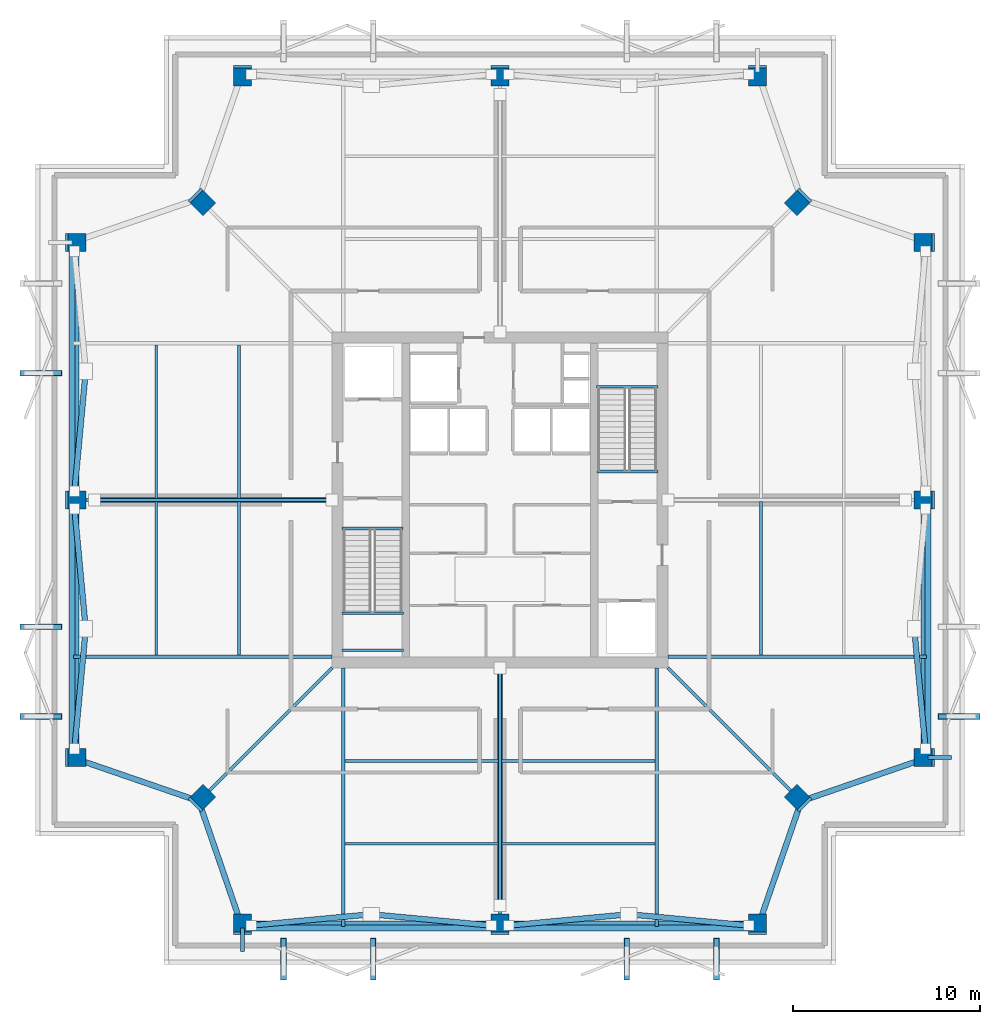
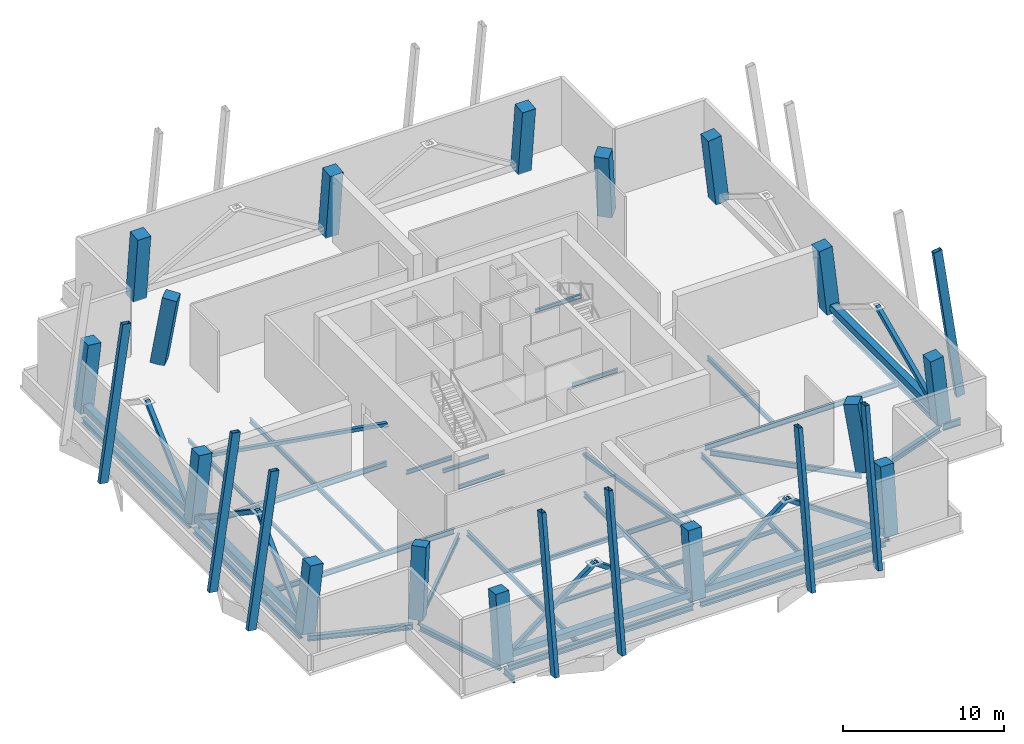
# One storey, part 1 of 6: 38 beams, 18 members, 16 columns.
"""IFC4 building model written with IfcOpenShell, lengths in metres."""

from ifc_helpers import new_model, si_unit, direction, frame, origin, origin_2d, place, context, subcontext, project, spatial, rectangle, hollow_rectangle, i_section, extrude, material, material_profile, profile_set, type_object, element, save


model = new_model("IFC4")

# Units and contexts
model_context = context("Model", 3, precision=1e-05, world=origin(), true_north=direction((0.0, 1.0)))
body_context = subcontext(model_context, "Body", "Model", "MODEL_VIEW")
ifc_project = project(units=[si_unit("LENGTHUNIT", "METRE"), si_unit("AREAUNIT", "SQUARE_METRE"), si_unit("VOLUMEUNIT", "CUBIC_METRE"), si_unit("PLANEANGLEUNIT", "RADIAN"), si_unit("MASSUNIT", "GRAM", prefix="KILO")], contexts=[model_context])

# Site, building, storey
site_placement = place(None, origin())
site = spatial("IfcSite", under=ifc_project, at=site_placement, CompositionType="ELEMENT")
building_placement = place(site_placement, origin())
building = spatial("IfcBuilding", under=site, at=building_placement, Name="Belovzor Exchange Tower", CompositionType="ELEMENT")
storey_placement = place(building_placement, frame((0.0, 0.0, 284.10009765625)))
storey = spatial("IfcBuildingStorey", under=building, at=storey_placement, Name="L71", CompositionType="ELEMENT", Elevation=284.10009765625)

# Columns
ifc_material_1 = material(Name="Concrete C50/60", Category="concrete")
ifc_material_profile_1 = material_profile(ifc_material_1, rectangle(XDim=0.949951171875, YDim=0.949951171875, at=origin_2d()))
ifc_profile_set_1 = profile_set([ifc_material_profile_1], Name="Concrete C50/60")
column_type = type_object("IfcColumnType", Name="Reinforced Concrete Tower Column 950x950", PredefinedType="COLUMN", material=ifc_profile_set_1)
for number, where, z_axis, x_axis, name in (
    (1, (15.0, 6.0, 0.0029296875), (0.0, 0.110547683812, 0.993870821387), (-1.0, 0.0, 0.0), "COL-T095 Reinforced Concrete Tower Column 950x950"),
    (2, (28.800048828125, 6.0, 0.0029296875), (0.0, 0.110547683812, 0.993870821387), (-1.0, 0.0, 0.0), "COL-T095 Reinforced Concrete Tower Column 950x950"),
    (3, (42.60009765625, 6.0, 0.0029296875), (0.0, 0.110547683812, 0.993870821387), (-1.0, 0.0, 0.0), "COL-T095 Reinforced Concrete Tower Column 950x950"),
    (4, (51.60009765625, 15.0, 0.0029296875), (-0.110547683812, 0.0, 0.993870821387), (0.0, -1.0, 0.0), "COL-T095 Reinforced Concrete Tower Column 950x950"),
    (5, (51.60009765625, 28.800048828125, 0.0029296875), (-0.110547683812, 0.0, 0.993870821387), (0.0, -1.0, 0.0), "COL-T095 Reinforced Concrete Tower Column 950x950"),
    (6, (51.60009765625, 42.60009765625, 0.0029296875), (-0.110547683812, 0.0, 0.993870821387), (0.0, -1.0, 0.0), "COL-T095 Reinforced Concrete Tower Column 950x950"),
    (7, (42.60009765625, 51.60009765625, 0.0029296875), (0.0, -0.110547683812, 0.993870821387), (1.0, 0.0, 0.0), "COL-T095 Reinforced Concrete Tower Column 950x950"),
    (8, (28.800048828125, 51.60009765625, 0.0029296875), (0.0, -0.110547683812, 0.993870821387), (1.0, 0.0, 0.0), "COL-T095 Reinforced Concrete Tower Column 950x950"),
    (9, (15.0, 51.60009765625, 0.0029296875), (0.0, -0.110547683812, 0.993870821387), (1.0, 0.0, 0.0), "COL-T095 Reinforced Concrete Tower Column 950x950"),
    (10, (6.0, 42.60009765625, 0.0029296875), (0.110547683812, 0.0, 0.993870821387), (0.0, 1.0, 0.0), "COL-T095 Reinforced Concrete Tower Column 950x950"),
    (11, (6.0, 28.800048828125, 0.0029296875), (0.110547683812, 0.0, 0.993870821387), (0.0, 1.0, 0.0), "COL-T095 Reinforced Concrete Tower Column 950x950"),
    (12, (6.0, 15.0, 0.0029296875), (0.110547683812, 0.0, 0.993870821387), (0.0, 1.0, 0.0), "COL-T095 Reinforced Concrete Tower Column 950x950"),
):
    element("IfcColumn", number, at=place(storey_placement, frame(where, z_axis=z_axis, x_axis=x_axis)), inside=storey, type_object=column_type, Name=name, PredefinedType="COLUMN", context=body_context, shape_type="SweptSolid", body=[
        extrude(rectangle(XDim=0.949951171875, YDim=0.949951171875, at=origin_2d()), origin(), (0.0, 0.0, 1.0), 5.074951171875),
    ])
for number, where, z_axis, x_axis, name in (
    (13, (12.75, 12.75, 0.0029296875), (0.109878322657, 0.109878322657, 0.987852979152), (-0.707106781187, 0.707106781187, 0.0), "COL-T095 Reinforced Concrete Tower Column 950x950"),
    (14, (44.85009765625, 12.75, 0.0029296875), (-0.109878322657, 0.109878322657, 0.987852979152), (-0.707106781187, -0.707106781187, 0.0), "COL-T095 Reinforced Concrete Tower Column 950x950"),
    (15, (44.85009765625, 44.85009765625, 0.0029296875), (-0.109878322657, -0.109878322657, 0.987852979152), (0.707106781187, -0.707106781187, 0.0), "COL-T095 Reinforced Concrete Tower Column 950x950"),
    (16, (12.75, 44.85009765625, 0.0029296875), (0.109878322657, -0.109878322657, 0.987852979152), (0.707106781187, 0.707106781187, 0.0), "COL-T095 Reinforced Concrete Tower Column 950x950"),
):
    element("IfcColumn", number, at=place(storey_placement, frame(where, z_axis=z_axis, x_axis=x_axis)), inside=storey, type_object=column_type, Name=name, PredefinedType="COLUMN", context=body_context, shape_type="SweptSolid", body=[
        extrude(rectangle(XDim=0.949951171875, YDim=0.949951171875, at=origin_2d()), origin(), (0.0, 0.0, 1.0), 5.10595703125),
    ])

# Members
ifc_material_2 = material(Name="Steel S460", Category="steel")
ifc_material_profile_2 = material_profile(ifc_material_2, hollow_rectangle(XDim=0.25, YDim=0.25, WallThickness=0.012451171875, at=origin_2d()))
ifc_profile_set_2 = profile_set([ifc_material_profile_2], Name="Steel S460")
member_type_1 = type_object("IfcMemberType", Name="Outrigger Tie Diagonal SHS 250x250x12.5", PredefinedType="BRACE", material=ifc_profile_set_2)
for number, where, z_axis, x_axis, name in (
    (17, (28.800048828125, 19.800048828125, 2.449951171875), (0.0, -0.986656645391, 0.162814815376), (1.0, 0.0, 0.0), "OB-260 Outrigger Tie Diagonal SHS 250x250x12.5"),
    (18, (19.800048828125, 28.800048828125, 2.449951171875), (-0.986656645391, 0.0, 0.162814815376), (0.0, -1.0, 0.0), "OB-260 Outrigger Tie Diagonal SHS 250x250x12.5"),
):
    element("IfcMember", number, at=place(storey_placement, frame(where, z_axis=z_axis, x_axis=x_axis)), inside=storey, type_object=member_type_1, Name=name, PredefinedType="BRACE", context=body_context, shape_type="SweptSolid", body=[
        extrude(hollow_rectangle(XDim=0.25, YDim=0.25, WallThickness=0.012451171875, at=origin_2d()), origin(), (0.0, 0.0, 1.0), 12.897216796875),
    ])

# Beams
ifc_material_3 = material(Name="Steel S460", Category="steel")
ifc_material_profile_3 = material_profile(ifc_material_3, hollow_rectangle(XDim=0.5, YDim=0.5, WallThickness=0.02490234375, at=origin_2d()))
ifc_profile_set_3 = profile_set([ifc_material_profile_3], Name="Steel S460")
beam_type_1 = type_object("IfcBeamType", Name="Perimeter Belt Truss Chord SHS 500x500x25", PredefinedType="BEAM", material=ifc_profile_set_3)
beam_1_placement = place(storey_placement, frame((15.47509765625, 6.0, 0.449951171875), z_axis=(1.0, 0.0, 0.0), x_axis=(0.0, 1.0, 0.0)))
element("IfcBeam", 19, at=beam_1_placement, inside=storey, type_object=beam_type_1, Name="BT-500 Perimeter Belt Truss Chord SHS 500x500x25", PredefinedType="BEAM", context=body_context, shape_type="SweptSolid", body=[
    extrude(hollow_rectangle(XDim=0.5, YDim=0.5, WallThickness=0.02490234375, at=origin_2d()), origin(), (0.0, 0.0, 1.0), 12.849853515625),
])
beam_2_placement = place(storey_placement, frame((29.27490234375, 6.0, 0.449951171875), z_axis=(1.0, 0.0, 0.0), x_axis=(0.0, 1.0, 0.0)))
element("IfcBeam", 20, at=beam_2_placement, inside=storey, type_object=beam_type_1, Name="BT-500 Perimeter Belt Truss Chord SHS 500x500x25", PredefinedType="BEAM", context=body_context, shape_type="SweptSolid", body=[
    extrude(hollow_rectangle(XDim=0.5, YDim=0.5, WallThickness=0.02490234375, at=origin_2d()), origin(), (0.0, 0.0, 1.0), 12.85009765625),
])
beam_3_placement = place(storey_placement, frame((51.60009765625, 15.47509765625, 0.449951171875), z_axis=(0.0, 1.0, 0.0), x_axis=(-1.0, 0.0, 0.0)))
element("IfcBeam", 21, at=beam_3_placement, inside=storey, type_object=beam_type_1, Name="BT-500 Perimeter Belt Truss Chord SHS 500x500x25", PredefinedType="BEAM", context=body_context, shape_type="SweptSolid", body=[
    extrude(hollow_rectangle(XDim=0.5, YDim=0.5, WallThickness=0.02490234375, at=origin_2d()), origin(), (0.0, 0.0, 1.0), 12.849853515625),
])
beam_4_placement = place(storey_placement, frame((6.0, 42.125, 0.449951171875), z_axis=(0.0, -1.0, 0.0), x_axis=(1.0, 0.0, 0.0)))
element("IfcBeam", 22, at=beam_4_placement, inside=storey, type_object=beam_type_1, Name="BT-500 Perimeter Belt Truss Chord SHS 500x500x25", PredefinedType="BEAM", context=body_context, shape_type="SweptSolid", body=[
    extrude(hollow_rectangle(XDim=0.5, YDim=0.5, WallThickness=0.02490234375, at=origin_2d()), origin(), (0.0, 0.0, 1.0), 12.85009765625),
])
beam_5_placement = place(storey_placement, frame((6.0, 28.324951171875, 0.449951171875), z_axis=(0.0, -1.0, 0.0), x_axis=(1.0, 0.0, 0.0)))
element("IfcBeam", 23, at=beam_5_placement, inside=storey, type_object=beam_type_1, Name="BT-500 Perimeter Belt Truss Chord SHS 500x500x25", PredefinedType="BEAM", context=body_context, shape_type="SweptSolid", body=[
    extrude(hollow_rectangle(XDim=0.5, YDim=0.5, WallThickness=0.02490234375, at=origin_2d()), origin(), (0.0, 0.0, 1.0), 12.849853515625),
])
ifc_material_4 = material(Name="Steel S355", Category="steel")
ifc_material_profile_4 = material_profile(ifc_material_4, i_section(OverallWidth=0.199951171875, OverallDepth=0.5, WebThickness=0.01025390625, FlangeThickness=0.01611328125, at=origin_2d()))
ifc_profile_set_4 = profile_set([ifc_material_profile_4], Name="Steel S355")
beam_type_2 = type_object("IfcBeamType", Name="Planted Balcony Cantilever Beam IPE 500", PredefinedType="BEAM", material=ifc_profile_set_4)
for number, where, z_axis, x_axis, name in (
    (24, (15.0, 5.85400390625, -0.610107421875), (0.0, -1.0, 0.0), (1.0, 0.0, 0.0), "BC-500 Planted Balcony Cantilever Beam IPE 500"),
    (25, (51.74609375, 15.0, -0.610107421875), (1.0, 0.0, 0.0), (0.0, 1.0, 0.0), "BC-500 Planted Balcony Cantilever Beam IPE 500"),
):
    element("IfcBeam", number, at=place(storey_placement, frame(where, z_axis=z_axis, x_axis=x_axis)), inside=storey, type_object=beam_type_2, Name=name, PredefinedType="BEAM", context=body_context, shape_type="SweptSolid", body=[
        extrude(i_section(OverallWidth=0.199951171875, OverallDepth=0.5, WebThickness=0.01025390625, FlangeThickness=0.01611328125, at=origin_2d()), origin(), (0.0, 0.0, 1.0), 1.25390625),
    ])
ifc_material_5 = material(Name="Steel S355", Category="steel")
ifc_material_profile_5 = material_profile(ifc_material_5, i_section(OverallWidth=0.169921875, OverallDepth=0.360107421875, WebThickness=0.008056640625, FlangeThickness=0.0126953125, at=origin_2d()))
ifc_profile_set_5 = profile_set([ifc_material_profile_5], Name="Steel S355")
beam_type_3 = type_object("IfcBeamType", Name="Secondary Infill Floor Joist IPE 360", PredefinedType="BEAM", material=ifc_profile_set_5)
beam_6_placement = place(storey_placement, frame((20.489990234375, 14.81103515625, -0.5400390625), z_axis=(1.0, 0.0, 0.0), x_axis=(0.0, 1.0, 0.0)))
element("IfcBeam", 26, at=beam_6_placement, inside=storey, type_object=beam_type_3, Name="FJ-360 Secondary Infill Floor Joist IPE 360", PredefinedType="BEAM", context=body_context, shape_type="SweptSolid", body=[
    extrude(i_section(OverallWidth=0.169921875, OverallDepth=0.360107421875, WebThickness=0.008056640625, FlangeThickness=0.0126953125, at=origin_2d()), origin(), (0.0, 0.0, 1.0), 8.219970703125),
])
beam_7_placement = place(storey_placement, frame((28.889892578125, 14.81103515625, -0.5400390625), z_axis=(1.0, 0.0, 0.0), x_axis=(0.0, 1.0, 0.0)))
element("IfcBeam", 27, at=beam_7_placement, inside=storey, type_object=beam_type_3, Name="FJ-360 Secondary Infill Floor Joist IPE 360", PredefinedType="BEAM", context=body_context, shape_type="SweptSolid", body=[
    extrude(i_section(OverallWidth=0.169921875, OverallDepth=0.360107421875, WebThickness=0.008056640625, FlangeThickness=0.0126953125, at=origin_2d()), origin(), (0.0, 0.0, 1.0), 8.22021484375),
])
beam_8_placement = place(storey_placement, frame((14.81103515625, 20.489990234375, -0.5400390625), z_axis=(0.0, 1.0, 0.0), x_axis=(-1.0, 0.0, 0.0)))
element("IfcBeam", 28, at=beam_8_placement, inside=storey, type_object=beam_type_3, Name="FJ-360 Secondary Infill Floor Joist IPE 360", PredefinedType="BEAM", context=body_context, shape_type="SweptSolid", body=[
    extrude(i_section(OverallWidth=0.169921875, OverallDepth=0.360107421875, WebThickness=0.008056640625, FlangeThickness=0.0126953125, at=origin_2d()), origin(), (0.0, 0.0, 1.0), 8.219970703125),
])
beam_9_placement = place(storey_placement, frame((14.81103515625, 28.889892578125, -0.5400390625), z_axis=(0.0, 1.0, 0.0), x_axis=(-1.0, 0.0, 0.0)))
element("IfcBeam", 29, at=beam_9_placement, inside=storey, type_object=beam_type_3, Name="FJ-360 Secondary Infill Floor Joist IPE 360", PredefinedType="BEAM", context=body_context, shape_type="SweptSolid", body=[
    extrude(i_section(OverallWidth=0.169921875, OverallDepth=0.360107421875, WebThickness=0.008056640625, FlangeThickness=0.0126953125, at=origin_2d()), origin(), (0.0, 0.0, 1.0), 8.22021484375),
])
beam_10_placement = place(storey_placement, frame((42.7890625, 20.489990234375, -0.5400390625), z_axis=(0.0, 1.0, 0.0), x_axis=(-1.0, 0.0, 0.0)))
element("IfcBeam", 30, at=beam_10_placement, inside=storey, type_object=beam_type_3, Name="FJ-360 Secondary Infill Floor Joist IPE 360", PredefinedType="BEAM", context=body_context, shape_type="SweptSolid", body=[
    extrude(i_section(OverallWidth=0.169921875, OverallDepth=0.360107421875, WebThickness=0.008056640625, FlangeThickness=0.0126953125, at=origin_2d()), origin(), (0.0, 0.0, 1.0), 8.219970703125),
])
ifc_material_6 = material(Name="Steel S355", Category="steel")
ifc_material_profile_6 = material_profile(ifc_material_6, i_section(OverallWidth=0.14990234375, OverallDepth=0.300048828125, WebThickness=0.007080078125, FlangeThickness=0.0107421875, at=origin_2d()))
ifc_profile_set_6 = profile_set([ifc_material_profile_6], Name="Steel S355")
beam_type_4 = type_object("IfcBeamType", Name="Secondary Trim Floor Joist IPE 300", PredefinedType="BEAM", material=ifc_profile_set_6)
for number, where, z_axis, x_axis, name in (
    (31, (20.320068359375, 22.72998046875, 2.349853515625), (1.0, 0.0, 0.0), (0.0, 1.0, 0.0), "FJ-300 Secondary Trim Floor Joist IPE 300"),
    (32, (20.320068359375, 20.75, 2.349853515625), (1.0, 0.0, 0.0), (0.0, 1.0, 0.0), "FJ-300 Secondary Trim Floor Joist IPE 300"),
):
    element("IfcBeam", number, at=place(storey_placement, frame(where, z_axis=z_axis, x_axis=x_axis)), inside=storey, type_object=beam_type_4, Name=name, PredefinedType="BEAM", context=body_context, shape_type="SweptSolid", body=[
        extrude(i_section(OverallWidth=0.14990234375, OverallDepth=0.300048828125, WebThickness=0.007080078125, FlangeThickness=0.0107421875, at=origin_2d()), origin(), (0.0, 0.0, 1.0), 3.309814453125),
    ])
beam_11_placement = place(storey_placement, frame((20.340087890625, 27.280029296875, -0.510009765625), z_axis=(1.0, 0.0, 0.0), x_axis=(0.0, 1.0, 0.0)))
element("IfcBeam", 33, at=beam_11_placement, inside=storey, type_object=beam_type_4, Name="FJ-300 Secondary Trim Floor Joist IPE 300", PredefinedType="BEAM", context=body_context, shape_type="SweptSolid", body=[
    extrude(i_section(OverallWidth=0.14990234375, OverallDepth=0.300048828125, WebThickness=0.007080078125, FlangeThickness=0.0107421875, at=origin_2d()), origin(), (0.0, 0.0, 1.0), 3.27001953125),
])
beam_12_placement = place(storey_placement, frame((37.280029296875, 34.8701171875, 2.349853515625), z_axis=(-1.0, 0.0, 0.0), x_axis=(0.0, -1.0, 0.0)))
element("IfcBeam", 34, at=beam_12_placement, inside=storey, type_object=beam_type_4, Name="FJ-300 Secondary Trim Floor Joist IPE 300", PredefinedType="BEAM", context=body_context, shape_type="SweptSolid", body=[
    extrude(i_section(OverallWidth=0.14990234375, OverallDepth=0.300048828125, WebThickness=0.007080078125, FlangeThickness=0.0107421875, at=origin_2d()), origin(), (0.0, 0.0, 1.0), 3.31005859375),
])
beam_13_placement = place(storey_placement, frame((37.260009765625, 30.320068359375, -0.510009765625), z_axis=(-1.0, 0.0, 0.0), x_axis=(0.0, -1.0, 0.0)))
element("IfcBeam", 35, at=beam_13_placement, inside=storey, type_object=beam_type_4, Name="FJ-300 Secondary Trim Floor Joist IPE 300", PredefinedType="BEAM", context=body_context, shape_type="SweptSolid", body=[
    extrude(i_section(OverallWidth=0.14990234375, OverallDepth=0.300048828125, WebThickness=0.007080078125, FlangeThickness=0.0107421875, at=origin_2d()), origin(), (0.0, 0.0, 1.0), 3.27001953125),
])
beam_14_placement = place(storey_placement, frame((20.489990234375, 10.3759765625, -0.510009765625), z_axis=(1.0, 0.0, 0.0), x_axis=(0.0, 1.0, 0.0)))
element("IfcBeam", 36, at=beam_14_placement, inside=storey, type_object=beam_type_4, Name="FJ-300 Secondary Trim Floor Joist IPE 300", PredefinedType="BEAM", context=body_context, shape_type="SweptSolid", body=[
    extrude(i_section(OverallWidth=0.14990234375, OverallDepth=0.300048828125, WebThickness=0.007080078125, FlangeThickness=0.0107421875, at=origin_2d()), origin(), (0.0, 0.0, 1.0), 8.219970703125),
])
beam_15_placement = place(storey_placement, frame((28.889892578125, 10.3759765625, -0.510009765625), z_axis=(1.0, 0.0, 0.0), x_axis=(0.0, 1.0, 0.0)))
element("IfcBeam", 37, at=beam_15_placement, inside=storey, type_object=beam_type_4, Name="FJ-300 Secondary Trim Floor Joist IPE 300", PredefinedType="BEAM", context=body_context, shape_type="SweptSolid", body=[
    extrude(i_section(OverallWidth=0.14990234375, OverallDepth=0.300048828125, WebThickness=0.007080078125, FlangeThickness=0.0107421875, at=origin_2d()), origin(), (0.0, 0.0, 1.0), 8.22021484375),
])
beam_16_placement = place(storey_placement, frame((10.3759765625, 20.489990234375, -0.510009765625), z_axis=(0.0, 1.0, 0.0), x_axis=(-1.0, 0.0, 0.0)))
element("IfcBeam", 38, at=beam_16_placement, inside=storey, type_object=beam_type_4, Name="FJ-300 Secondary Trim Floor Joist IPE 300", PredefinedType="BEAM", context=body_context, shape_type="SweptSolid", body=[
    extrude(i_section(OverallWidth=0.14990234375, OverallDepth=0.300048828125, WebThickness=0.007080078125, FlangeThickness=0.0107421875, at=origin_2d()), origin(), (0.0, 0.0, 1.0), 8.219970703125),
])
beam_17_placement = place(storey_placement, frame((10.3759765625, 28.889892578125, -0.510009765625), z_axis=(0.0, 1.0, 0.0), x_axis=(-1.0, 0.0, 0.0)))
element("IfcBeam", 39, at=beam_17_placement, inside=storey, type_object=beam_type_4, Name="FJ-300 Secondary Trim Floor Joist IPE 300", PredefinedType="BEAM", context=body_context, shape_type="SweptSolid", body=[
    extrude(i_section(OverallWidth=0.14990234375, OverallDepth=0.300048828125, WebThickness=0.007080078125, FlangeThickness=0.0107421875, at=origin_2d()), origin(), (0.0, 0.0, 1.0), 8.22021484375),
])

# Members
ifc_material_7 = material(Name="Steel S355", Category="steel")
ifc_material_profile_7 = material_profile(ifc_material_7, hollow_rectangle(XDim=0.300048828125, YDim=0.300048828125, WallThickness=0.01611328125, at=origin_2d()))
ifc_profile_set_7 = profile_set([ifc_material_profile_7], Name="Steel S355")
member_type_2 = type_object("IfcMemberType", Name="Upper Belt Truss Diagonal SHS 300x300x16", PredefinedType="BRACE", material=ifc_profile_set_7)
member_1_placement = place(storey_placement, frame((15.47509765625, 6.0, 0.449951171875), z_axis=(0.834475920844, 0.077942765368, 0.545504228085), x_axis=(-0.092998466606, 0.995666251918, 0.0)))
element("IfcMember", 40, at=member_1_placement, inside=storey, type_object=member_type_2, Name="BD-300 Upper Belt Truss Diagonal SHS 300x300x16", PredefinedType="BRACE", context=body_context, shape_type="SweptSolid", body=[
    extrude(hollow_rectangle(XDim=0.300048828125, YDim=0.300048828125, WallThickness=0.01611328125, at=origin_2d()), origin(), (0.0, 0.0, 1.0), 7.69921875),
])
for number, where, z_axis, x_axis, name in (
    (41, (21.89990234375, 6.60009765625, 4.64990234375), (0.83448554915, -0.07794070296, -0.545489793747), (0.092994963388, 0.995666579124, 0.0), "BD-300 Upper Belt Truss Diagonal SHS 300x300x16"),
    (42, (29.27490234375, 6.0, 0.449951171875), (0.83448554915, 0.07794070296, 0.545489793747), (-0.092994963388, 0.995666579124, 0.0), "BD-300 Upper Belt Truss Diagonal SHS 300x300x16"),
    (43, (35.699951171875, 6.60009765625, 4.64990234375), (0.83448554915, -0.07794070296, -0.545489793747), (0.092994963388, 0.995666579124, 0.0), "BD-300 Upper Belt Truss Diagonal SHS 300x300x16"),
):
    element("IfcMember", number, at=place(storey_placement, frame(where, z_axis=z_axis, x_axis=x_axis)), inside=storey, type_object=member_type_2, Name=name, PredefinedType="BRACE", context=body_context, shape_type="SweptSolid", body=[
        extrude(hollow_rectangle(XDim=0.300048828125, YDim=0.300048828125, WallThickness=0.01611328125, at=origin_2d()), origin(), (0.0, 0.0, 1.0), 7.699462890625),
    ])
member_2_placement = place(storey_placement, frame((51.60009765625, 15.47509765625, 0.449951171875), z_axis=(-0.077942765368, 0.834475920844, 0.545504228085), x_axis=(-0.995666251918, -0.092998466606, 0.0)))
element("IfcMember", 44, at=member_2_placement, inside=storey, type_object=member_type_2, Name="BD-300 Upper Belt Truss Diagonal SHS 300x300x16", PredefinedType="BRACE", context=body_context, shape_type="SweptSolid", body=[
    extrude(hollow_rectangle(XDim=0.300048828125, YDim=0.300048828125, WallThickness=0.01611328125, at=origin_2d()), origin(), (0.0, 0.0, 1.0), 7.69921875),
])
for number, where, z_axis, x_axis, name in (
    (45, (6.60009765625, 35.699951171875, 4.64990234375), (-0.07794070296, -0.83448554915, -0.545489793747), (0.995666579124, -0.092994963388, 0.0), "BD-300 Upper Belt Truss Diagonal SHS 300x300x16"),
    (46, (6.0, 28.324951171875, 0.449951171875), (0.07794070296, -0.83448554915, 0.545489793747), (0.995666579124, 0.092994963388, 0.0), "BD-300 Upper Belt Truss Diagonal SHS 300x300x16"),
):
    element("IfcMember", number, at=place(storey_placement, frame(where, z_axis=z_axis, x_axis=x_axis)), inside=storey, type_object=member_type_2, Name=name, PredefinedType="BRACE", context=body_context, shape_type="SweptSolid", body=[
        extrude(hollow_rectangle(XDim=0.300048828125, YDim=0.300048828125, WallThickness=0.01611328125, at=origin_2d()), origin(), (0.0, 0.0, 1.0), 7.699462890625),
    ])
member_3_placement = place(storey_placement, frame((6.60009765625, 21.89990234375, 4.64990234375), z_axis=(-0.077942765368, -0.834475920844, -0.545504228085), x_axis=(0.995666251918, -0.092998466606, 0.0)))
element("IfcMember", 47, at=member_3_placement, inside=storey, type_object=member_type_2, Name="BD-300 Upper Belt Truss Diagonal SHS 300x300x16", PredefinedType="BRACE", context=body_context, shape_type="SweptSolid", body=[
    extrude(hollow_rectangle(XDim=0.300048828125, YDim=0.300048828125, WallThickness=0.01611328125, at=origin_2d()), origin(), (0.0, 0.0, 1.0), 7.69921875),
])
ifc_material_8 = material(Name="Extruded Architectural Terracotta on Steel S355 Carrier", Category="masonry")
ifc_material_profile_8 = material_profile(ifc_material_8, hollow_rectangle(XDim=0.300048828125, YDim=0.60009765625, WallThickness=0.01611328125, at=origin_2d()))
ifc_profile_set_8 = profile_set([ifc_material_profile_8], Name="Extruded Architectural Terracotta on Steel S355 Carrier")
member_type_3 = type_object("IfcMemberType", Name="Upper Crown Terracotta Fin Assembly 550", PredefinedType="USERDEFINED", material=ifc_profile_set_8)
for number, where, z_axis, x_axis, name in (
    (48, (17.199951171875, 3.375, -0.360107421875), (0.0, 0.141773788774, 0.989899082138), (-1.0, 0.0, 0.0), "FIN-TC055 Terracotta Facade Fin L71 S1"),
    (49, (3.375, 17.199951171875, -0.360107421875), (0.141773788774, 0.0, 0.989899082138), (0.0, 1.0, 0.0), "FIN-TC055 Terracotta Facade Fin L71 W1"),
):
    element("IfcMember", number, at=place(storey_placement, frame(where, z_axis=z_axis, x_axis=x_axis)), inside=storey, type_object=member_type_3, Name=name, ObjectType="FIN", PredefinedType="USERDEFINED", context=body_context, shape_type="SweptSolid", body=[
        extrude(hollow_rectangle(XDim=0.300048828125, YDim=0.60009765625, WallThickness=0.01611328125, at=origin_2d()), origin(), (0.0, 0.0, 1.0), 11.637451171875),
    ])
member_4_placement = place(storey_placement, frame((54.22509765625, 17.199951171875, -0.360107421875), z_axis=(-0.141794345676, 0.0, 0.989896137751), x_axis=(0.0, -1.0, 0.0)))
element("IfcMember", 50, at=member_4_placement, inside=storey, type_object=member_type_3, Name="FIN-TC055 Terracotta Facade Fin L71 E1", ObjectType="FIN", PredefinedType="USERDEFINED", context=body_context, shape_type="SweptSolid", body=[
    extrude(hollow_rectangle(XDim=0.300048828125, YDim=0.60009765625, WallThickness=0.01611328125, at=origin_2d()), origin(), (0.0, 0.0, 1.0), 11.6376953125),
])
for number, where, z_axis, x_axis, name in (
    (51, (22.0, 3.375, -0.360107421875), (0.0, 0.141773788774, 0.989899082138), (-1.0, 0.0, 0.0), "FIN-TC055 Terracotta Facade Fin L71 S2"),
    (52, (3.375, 22.0, -0.360107421875), (0.141773788774, 0.0, 0.989899082138), (0.0, 1.0, 0.0), "FIN-TC055 Terracotta Facade Fin L71 W2"),
    (53, (35.60009765625, 3.375, -0.360107421875), (0.0, 0.141773788774, 0.989899082138), (-1.0, 0.0, 0.0), "FIN-TC055 Terracotta Facade Fin L71 S3"),
    (54, (3.375, 35.60009765625, -0.360107421875), (0.141773788774, 0.0, 0.989899082138), (0.0, 1.0, 0.0), "FIN-TC055 Terracotta Facade Fin L71 W3"),
    (55, (40.39990234375, 3.375, -0.360107421875), (0.0, 0.141773788774, 0.989899082138), (-1.0, 0.0, 0.0), "FIN-TC055 Terracotta Facade Fin L71 S4"),
):
    element("IfcMember", number, at=place(storey_placement, frame(where, z_axis=z_axis, x_axis=x_axis)), inside=storey, type_object=member_type_3, Name=name, ObjectType="FIN", PredefinedType="USERDEFINED", context=body_context, shape_type="SweptSolid", body=[
        extrude(hollow_rectangle(XDim=0.300048828125, YDim=0.60009765625, WallThickness=0.01611328125, at=origin_2d()), origin(), (0.0, 0.0, 1.0), 11.637451171875),
    ])

# Beams
ifc_material_9 = material(Name="Steel S355", Category="steel")
ifc_material_profile_9 = material_profile(ifc_material_9, i_section(OverallWidth=0.300048828125, OverallDepth=0.39990234375, WebThickness=0.013427734375, FlangeThickness=0.02392578125, at=origin_2d()))
ifc_profile_set_9 = profile_set([ifc_material_profile_9], Name="Steel S355")
beam_type_5 = type_object("IfcBeamType", Name="Zone 5 Primary Girder HEB 400", PredefinedType="BEAM", material=ifc_profile_set_9)
beam_18_placement = place(storey_placement, frame((12.7451171875, 12.4130859375, -0.56005859375), z_axis=(0.325654168739, -0.945488954131, 0.0), x_axis=(0.945488954131, 0.325654168739, 0.0)))
element("IfcBeam", 56, at=beam_18_placement, inside=storey, type_object=beam_type_5, Name="FG-Z5 Zone 5 Primary Girder HEB 400", PredefinedType="BEAM", context=body_context, shape_type="SweptSolid", body=[
    extrude(i_section(OverallWidth=0.300048828125, OverallDepth=0.39990234375, WebThickness=0.013427734375, FlangeThickness=0.02392578125, at=origin_2d()), origin(), (0.0, 0.0, 1.0), 6.663330078125),
])
for number, where, z_axis, x_axis, name in (
    (57, (15.260986328125, 5.865966796875, -0.56005859375), (1.0, 0.0, 0.0), (0.0, 1.0, 0.0), "FG-Z5 Zone 5 Primary Girder HEB 400"),
    (58, (29.06103515625, 5.865966796875, -0.56005859375), (1.0, 0.0, 0.0), (0.0, 1.0, 0.0), "FG-Z5 Zone 5 Primary Girder HEB 400"),
):
    element("IfcBeam", number, at=place(storey_placement, frame(where, z_axis=z_axis, x_axis=x_axis)), inside=storey, type_object=beam_type_5, Name=name, PredefinedType="BEAM", context=body_context, shape_type="SweptSolid", body=[
        extrude(i_section(OverallWidth=0.300048828125, OverallDepth=0.39990234375, WebThickness=0.013427734375, FlangeThickness=0.02392578125, at=origin_2d()), origin(), (0.0, 0.0, 1.0), 13.278076171875),
    ])
for number, where, z_axis, x_axis, name in (
    (59, (42.68505859375, 6.113037109375, -0.56005859375), (0.325654168739, 0.945488954131, 0.0), (-0.945488954131, 0.325654168739, 0.0), "FG-Z5 Zone 5 Primary Girder HEB 400"),
    (60, (45.18701171875, 12.7451171875, -0.56005859375), (0.945488954131, 0.325654168739, 0.0), (-0.325654168739, 0.945488954131, 0.0), "FG-Z5 Zone 5 Primary Girder HEB 400"),
):
    element("IfcBeam", number, at=place(storey_placement, frame(where, z_axis=z_axis, x_axis=x_axis)), inside=storey, type_object=beam_type_5, Name=name, PredefinedType="BEAM", context=body_context, shape_type="SweptSolid", body=[
        extrude(i_section(OverallWidth=0.300048828125, OverallDepth=0.39990234375, WebThickness=0.013427734375, FlangeThickness=0.02392578125, at=origin_2d()), origin(), (0.0, 0.0, 1.0), 6.663330078125),
    ])
for number, where, z_axis, x_axis, name in (
    (61, (51.73388671875, 15.260986328125, -0.56005859375), (0.0, 1.0, 0.0), (-1.0, 0.0, 0.0), "FG-Z5 Zone 5 Primary Girder HEB 400"),
    (62, (5.865966796875, 42.339111328125, -0.56005859375), (0.0, -1.0, 0.0), (1.0, 0.0, 0.0), "FG-Z5 Zone 5 Primary Girder HEB 400"),
    (63, (5.865966796875, 28.5390625, -0.56005859375), (0.0, -1.0, 0.0), (1.0, 0.0, 0.0), "FG-Z5 Zone 5 Primary Girder HEB 400"),
):
    element("IfcBeam", number, at=place(storey_placement, frame(where, z_axis=z_axis, x_axis=x_axis)), inside=storey, type_object=beam_type_5, Name=name, PredefinedType="BEAM", context=body_context, shape_type="SweptSolid", body=[
        extrude(i_section(OverallWidth=0.300048828125, OverallDepth=0.39990234375, WebThickness=0.013427734375, FlangeThickness=0.02392578125, at=origin_2d()), origin(), (0.0, 0.0, 1.0), 13.278076171875),
    ])
beam_19_placement = place(storey_placement, frame((6.113037109375, 14.9150390625, -0.56005859375), z_axis=(0.945488954131, -0.325654168739, 0.0), x_axis=(0.325654168739, 0.945488954131, 0.0)))
element("IfcBeam", 64, at=beam_19_placement, inside=storey, type_object=beam_type_5, Name="FG-Z5 Zone 5 Primary Girder HEB 400", PredefinedType="BEAM", context=body_context, shape_type="SweptSolid", body=[
    extrude(i_section(OverallWidth=0.300048828125, OverallDepth=0.39990234375, WebThickness=0.013427734375, FlangeThickness=0.02392578125, at=origin_2d()), origin(), (0.0, 0.0, 1.0), 6.663330078125),
])
ifc_material_10 = material(Name="Steel S355", Category="steel")
ifc_material_profile_10 = material_profile(ifc_material_10, i_section(OverallWidth=0.179931640625, OverallDepth=0.39990234375, WebThickness=0.008544921875, FlangeThickness=0.013427734375, at=origin_2d()))
ifc_profile_set_10 = profile_set([ifc_material_profile_10], Name="Steel S355")
beam_type_6 = type_object("IfcBeamType", Name="Zone 5-6 Radial Composite Floor Beam IPE 400", PredefinedType="BEAM", material=ifc_profile_set_10)
beam_20_placement = place(storey_placement, frame((20.39990234375, 19.800048828125, -0.56005859375), z_axis=(0.0, -1.0, 0.0), x_axis=(1.0, 0.0, 0.0)))
element("IfcBeam", 65, at=beam_20_placement, inside=storey, type_object=beam_type_6, Name="FB-400 Zone 5-6 Radial Composite Floor Beam IPE 400", PredefinedType="BEAM", context=body_context, shape_type="SweptSolid", body=[
    extrude(i_section(OverallWidth=0.179931640625, OverallDepth=0.39990234375, WebThickness=0.008544921875, FlangeThickness=0.013427734375, at=origin_2d()), origin(), (0.0, 0.0, 1.0), 13.859130859375),
])
beam_21_placement = place(storey_placement, frame((28.800048828125, 19.800048828125, -0.56005859375), z_axis=(0.0, -1.0, 0.0), x_axis=(1.0, 0.0, 0.0)))
element("IfcBeam", 66, at=beam_21_placement, inside=storey, type_object=beam_type_6, Name="FB-400 Zone 5-6 Radial Composite Floor Beam IPE 400", PredefinedType="BEAM", context=body_context, shape_type="SweptSolid", body=[
    extrude(i_section(OverallWidth=0.179931640625, OverallDepth=0.39990234375, WebThickness=0.008544921875, FlangeThickness=0.013427734375, at=origin_2d()), origin(), (0.0, 0.0, 1.0), 13.51611328125),
])
for number, where, z_axis, x_axis, name in (
    (67, (37.199951171875, 19.800048828125, -0.56005859375), (0.0, -1.0, 0.0), (1.0, 0.0, 0.0), "FB-400 Zone 5-6 Radial Composite Floor Beam IPE 400"),
    (68, (19.800048828125, 20.39990234375, -0.56005859375), (-1.0, 0.0, 0.0), (0.0, -1.0, 0.0), "FB-400 Zone 5-6 Radial Composite Floor Beam IPE 400"),
):
    element("IfcBeam", number, at=place(storey_placement, frame(where, z_axis=z_axis, x_axis=x_axis)), inside=storey, type_object=beam_type_6, Name=name, PredefinedType="BEAM", context=body_context, shape_type="SweptSolid", body=[
        extrude(i_section(OverallWidth=0.179931640625, OverallDepth=0.39990234375, WebThickness=0.008544921875, FlangeThickness=0.013427734375, at=origin_2d()), origin(), (0.0, 0.0, 1.0), 13.859130859375),
    ])
beam_22_placement = place(storey_placement, frame((19.800048828125, 28.800048828125, -0.56005859375), z_axis=(-1.0, 0.0, 0.0), x_axis=(0.0, -1.0, 0.0)))
element("IfcBeam", 69, at=beam_22_placement, inside=storey, type_object=beam_type_6, Name="FB-400 Zone 5-6 Radial Composite Floor Beam IPE 400", PredefinedType="BEAM", context=body_context, shape_type="SweptSolid", body=[
    extrude(i_section(OverallWidth=0.179931640625, OverallDepth=0.39990234375, WebThickness=0.008544921875, FlangeThickness=0.013427734375, at=origin_2d()), origin(), (0.0, 0.0, 1.0), 13.51611328125),
])
beam_23_placement = place(storey_placement, frame((37.800048828125, 20.39990234375, -0.56005859375), z_axis=(1.0, 0.0, 0.0), x_axis=(0.0, 1.0, 0.0)))
element("IfcBeam", 70, at=beam_23_placement, inside=storey, type_object=beam_type_6, Name="FB-400 Zone 5-6 Radial Composite Floor Beam IPE 400", PredefinedType="BEAM", context=body_context, shape_type="SweptSolid", body=[
    extrude(i_section(OverallWidth=0.179931640625, OverallDepth=0.39990234375, WebThickness=0.008544921875, FlangeThickness=0.013427734375, at=origin_2d()), origin(), (0.0, 0.0, 1.0), 13.85888671875),
])
beam_24_placement = place(storey_placement, frame((19.800048828125, 19.800048828125, -0.56005859375), z_axis=(-0.707106781187, -0.707106781187, 0.0), x_axis=(0.707106781187, -0.707106781187, 0.0)))
element("IfcBeam", 71, at=beam_24_placement, inside=storey, type_object=beam_type_6, Name="FB-400 Zone 5-6 Radial Composite Floor Beam IPE 400", PredefinedType="BEAM", context=body_context, shape_type="SweptSolid", body=[
    extrude(i_section(OverallWidth=0.179931640625, OverallDepth=0.39990234375, WebThickness=0.008544921875, FlangeThickness=0.013427734375, at=origin_2d()), origin(), (0.0, 0.0, 1.0), 9.760986328125),
])
beam_25_placement = place(storey_placement, frame((37.800048828125, 19.800048828125, -0.56005859375), z_axis=(0.707144295804, -0.707069264578, 0.0), x_axis=(0.707069264578, 0.707144295804, 0.0)))
element("IfcBeam", 72, at=beam_25_placement, inside=storey, type_object=beam_type_6, Name="FB-400 Zone 5-6 Radial Composite Floor Beam IPE 400", PredefinedType="BEAM", context=body_context, shape_type="SweptSolid", body=[
    extrude(i_section(OverallWidth=0.179931640625, OverallDepth=0.39990234375, WebThickness=0.008544921875, FlangeThickness=0.013427734375, at=origin_2d()), origin(), (0.0, 0.0, 1.0), 9.761474609375),
])

save(model, "model.ifc")
